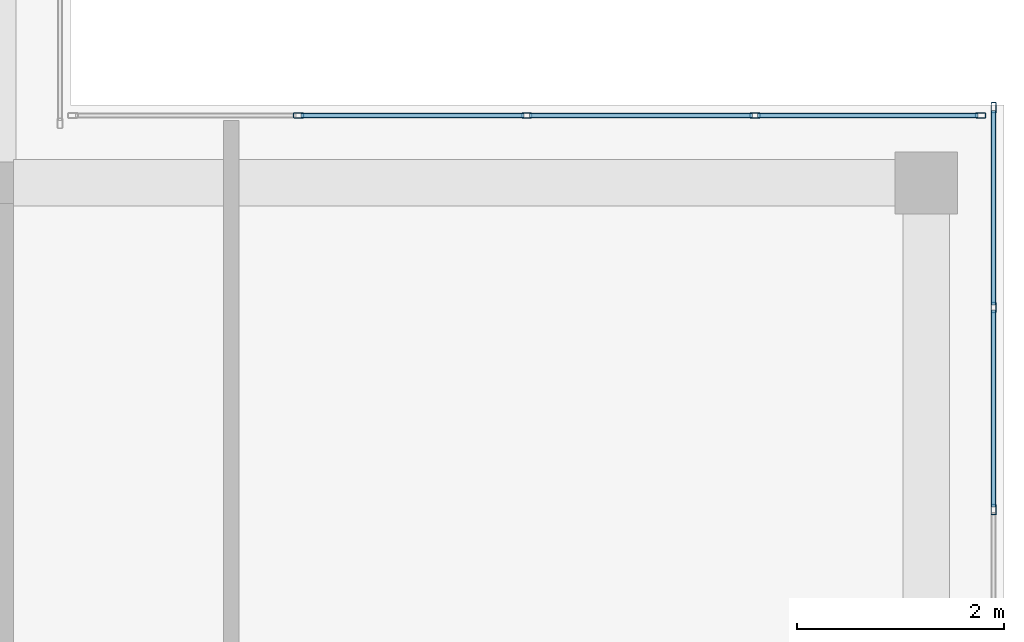
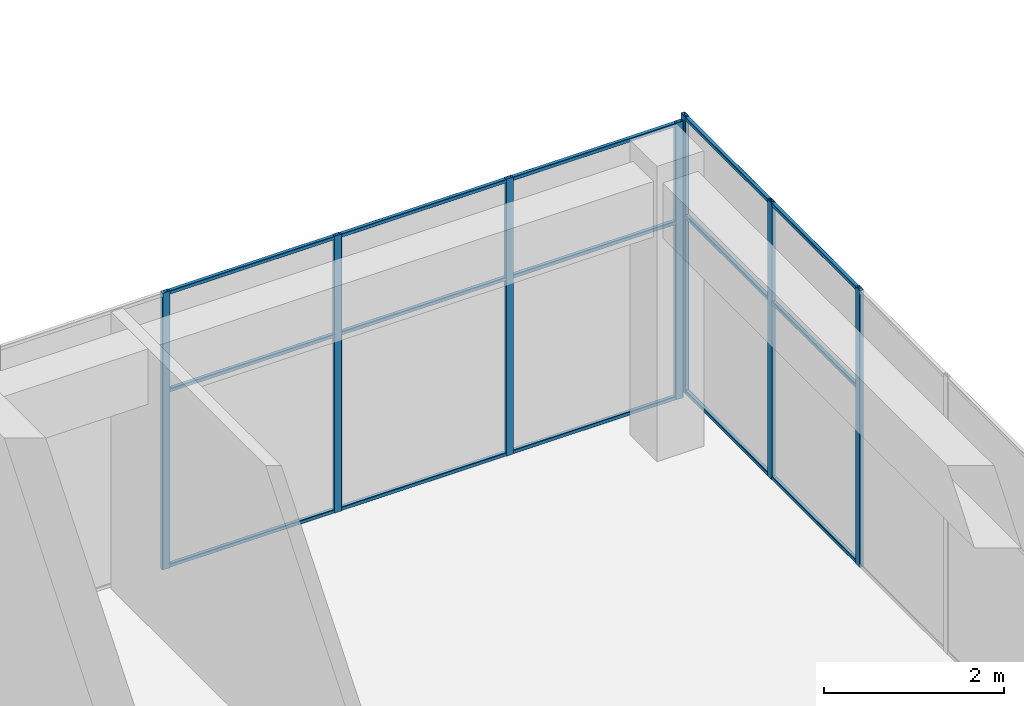
# One storey, part 18 of 32: 22 members, 2 elements without a shape of their own.
"""IFC4 building model written with IfcOpenShell, lengths in metres."""

from ifc_helpers import new_model, si_unit, direction, frame, origin, origin_2d, place, context, subcontext, project, spatial, hollow_rectangle, extrude, material, layer, layer_set, material_profile, profile_set, type_object, element, aggregate, save


model = new_model("IFC4")

# Units and contexts
model_context = context("Model", 3, precision=1e-05, world=origin(), true_north=direction((0.0, 1.0)))
body_context = subcontext(model_context, "Body", "Model", "MODEL_VIEW")
ifc_project = project(units=[si_unit("LENGTHUNIT", "METRE"), si_unit("AREAUNIT", "SQUARE_METRE"), si_unit("VOLUMEUNIT", "CUBIC_METRE"), si_unit("PLANEANGLEUNIT", "RADIAN"), si_unit("MASSUNIT", "GRAM", prefix="KILO")], contexts=[model_context])

# Site, building, storey
site_placement = place(None, origin())
site = spatial("IfcSite", under=ifc_project, at=site_placement, CompositionType="ELEMENT")
building_placement = place(site_placement, origin())
building = spatial("IfcBuilding", under=site, at=building_placement, Name="Tuart Plaza Theatre", CompositionType="ELEMENT")
storey_placement = place(building_placement, frame((0.0, 0.0, 41.5)))
storey = spatial("IfcBuildingStorey", under=building, at=storey_placement, Name="L10", CompositionType="ELEMENT", Elevation=41.5)

# Curtain wall, members
ifc_material_1 = material(Name="Aluminium and glass", Category="aluminium")
ifc_layer = layer(ifc_material_1, 0.10009765625)
ifc_layer_set = layer_set([ifc_layer], Name="CURTAIN WALL 2000 module")
curtain_wall_type = type_object("IfcCurtainWallType", Name="CURTAIN WALL 2000 module", PredefinedType="NOTDEFINED", material=ifc_layer_set)
curtain_wall_1_placement = place(storey_placement, origin())
curtain_wall_1 = element("IfcCurtainWall", 1, at=curtain_wall_1_placement, inside=storey, type_object=curtain_wall_type, Name="CW102", PredefinedType="NOTDEFINED")
ifc_material_2 = material(Name="Aluminium 6063-T5", Category="aluminium")
ifc_material_profile_1 = material_profile(ifc_material_2, hollow_rectangle(XDim=0.050048828125, YDim=0.10009765625, WallThickness=0.00390625, InnerFilletRadius=0.00390625, OuterFilletRadius=0.008056640625, at=origin_2d()), Name="RHS 100x50x4")
ifc_profile_set_1 = profile_set([ifc_material_profile_1], Name="Aluminium 6063-T5")
member_type_1 = type_object("IfcMemberType", Name="MULLION RHS 100x50x4", PredefinedType="MULLION", material=ifc_profile_set_1)
member_1_placement = place(storey_placement, frame((150.64990234375, 79.85009765625, 0.0), z_axis=(0.0, 0.0, 1.0), x_axis=(-1.0, 0.0, 0.0)))
member_1 = element("IfcMember", 2, at=member_1_placement, type_object=member_type_1, Name="CW102 mullion 9", PredefinedType="MULLION", context=body_context, shape_type="SweptSolid", body=[
    extrude(hollow_rectangle(XDim=0.050048828125, YDim=0.10009765625, WallThickness=0.00390625, InnerFilletRadius=0.00390625, OuterFilletRadius=0.008056640625, at=origin_2d()), origin(), (0.0, 0.0, 1.0), 3.75),
])
member_2_placement = place(storey_placement, frame((150.64990234375, 81.800048828125, 0.0), z_axis=(0.0, 0.0, 1.0), x_axis=(-1.0, 0.0, 0.0)))
member_2 = element("IfcMember", 3, at=member_2_placement, type_object=member_type_1, Name="CW102 mullion 10", PredefinedType="MULLION", context=body_context, shape_type="SweptSolid", body=[
    extrude(hollow_rectangle(XDim=0.050048828125, YDim=0.10009765625, WallThickness=0.00390625, InnerFilletRadius=0.00390625, OuterFilletRadius=0.008056640625, at=origin_2d()), origin(), (0.0, 0.0, 1.0), 3.75),
])
member_3_placement = place(storey_placement, frame((150.64990234375, 83.72509765625, 0.0), z_axis=(0.0, 0.0, 1.0), x_axis=(-1.0, 0.0, 0.0)))
member_3 = element("IfcMember", 4, at=member_3_placement, type_object=member_type_1, Name="CW102 mullion 11", PredefinedType="MULLION", context=body_context, shape_type="SweptSolid", body=[
    extrude(hollow_rectangle(XDim=0.050048828125, YDim=0.10009765625, WallThickness=0.00390625, InnerFilletRadius=0.00390625, OuterFilletRadius=0.008056640625, at=origin_2d()), origin(), (0.0, 0.0, 1.0), 3.75),
])

curtain_wall_2_placement = place(storey_placement, origin())
curtain_wall_2 = element("IfcCurtainWall", 5, at=curtain_wall_2_placement, inside=storey, type_object=curtain_wall_type, Name="CW103", PredefinedType="NOTDEFINED")
member_4_placement = place(storey_placement, frame((150.52490234375, 83.64990234375, 0.0), z_axis=(0.0, 0.0, 1.0), x_axis=(0.0, -1.0, 0.0)))
member_4 = element("IfcMember", 6, at=member_4_placement, type_object=member_type_1, Name="CW103 mullion 1", PredefinedType="MULLION", context=body_context, shape_type="SweptSolid", body=[
    extrude(hollow_rectangle(XDim=0.050048828125, YDim=0.10009765625, WallThickness=0.00390625, InnerFilletRadius=0.00390625, OuterFilletRadius=0.008056640625, at=origin_2d()), origin(), (0.0, 0.0, 1.0), 3.75),
])
member_5_placement = place(storey_placement, frame((148.35009765625, 83.64990234375, 0.0), z_axis=(0.0, 0.0, 1.0), x_axis=(0.0, -1.0, 0.0)))
member_5 = element("IfcMember", 7, at=member_5_placement, type_object=member_type_1, Name="CW103 mullion 2", PredefinedType="MULLION", context=body_context, shape_type="SweptSolid", body=[
    extrude(hollow_rectangle(XDim=0.050048828125, YDim=0.10009765625, WallThickness=0.00390625, InnerFilletRadius=0.00390625, OuterFilletRadius=0.008056640625, at=origin_2d()), origin(), (0.0, 0.0, 1.0), 3.75),
])
member_6_placement = place(storey_placement, frame((146.14990234375, 83.64990234375, 0.0), z_axis=(0.0, 0.0, 1.0), x_axis=(0.0, -1.0, 0.0)))
member_6 = element("IfcMember", 8, at=member_6_placement, type_object=member_type_1, Name="CW103 mullion 3", PredefinedType="MULLION", context=body_context, shape_type="SweptSolid", body=[
    extrude(hollow_rectangle(XDim=0.050048828125, YDim=0.10009765625, WallThickness=0.00390625, InnerFilletRadius=0.00390625, OuterFilletRadius=0.008056640625, at=origin_2d()), origin(), (0.0, 0.0, 1.0), 3.75),
])
member_7_placement = place(storey_placement, frame((143.949951171875, 83.64990234375, 0.0), z_axis=(0.0, 0.0, 1.0), x_axis=(0.0, -1.0, 0.0)))
member_7 = element("IfcMember", 9, at=member_7_placement, type_object=member_type_1, Name="CW103 mullion 4", PredefinedType="MULLION", context=body_context, shape_type="SweptSolid", body=[
    extrude(hollow_rectangle(XDim=0.050048828125, YDim=0.10009765625, WallThickness=0.00390625, InnerFilletRadius=0.00390625, OuterFilletRadius=0.008056640625, at=origin_2d()), origin(), (0.0, 0.0, 1.0), 3.75),
])

# Member
ifc_material_3 = material(Name="Aluminium 6063-T5", Category="aluminium")
ifc_material_profile_2 = material_profile(ifc_material_3, hollow_rectangle(XDim=0.050048828125, YDim=0.050048828125, WallThickness=0.00390625, InnerFilletRadius=0.00390625, OuterFilletRadius=0.008056640625, at=origin_2d()), Name="RHS 50x50x4")
ifc_profile_set_2 = profile_set([ifc_material_profile_2], Name="Aluminium 6063-T5")
member_type_2 = type_object("IfcMemberType", Name="TRANSOM RHS 50x50x4", PredefinedType="USERDEFINED", material=ifc_profile_set_2)
member_8_placement = place(storey_placement, frame((150.64990234375, 79.875, 0.02490234375), z_axis=(0.0, 1.0, 0.0), x_axis=(-1.0, 0.0, 0.0)))
member_8 = element("IfcMember", 10, at=member_8_placement, type_object=member_type_2, Name="CW102 transom 9.1", ObjectType="TRANSOM", PredefinedType="USERDEFINED", context=body_context, shape_type="SweptSolid", body=[
    extrude(hollow_rectangle(XDim=0.050048828125, YDim=0.050048828125, WallThickness=0.00390625, InnerFilletRadius=0.00390625, OuterFilletRadius=0.008056640625, at=origin_2d()), origin(), (0.0, 0.0, 1.0), 1.89990234375),
])

member_9_placement = place(storey_placement, frame((150.64990234375, 79.875, 2.39990234375), z_axis=(0.0, 1.0, 0.0), x_axis=(-1.0, 0.0, 0.0)))
member_9 = element("IfcMember", 11, at=member_9_placement, type_object=member_type_2, Name="CW102 transom 9.2", ObjectType="TRANSOM", PredefinedType="USERDEFINED", context=body_context, shape_type="SweptSolid", body=[
    extrude(hollow_rectangle(XDim=0.050048828125, YDim=0.050048828125, WallThickness=0.00390625, InnerFilletRadius=0.00390625, OuterFilletRadius=0.008056640625, at=origin_2d()), origin(), (0.0, 0.0, 1.0), 1.89990234375),
])

member_10_placement = place(storey_placement, frame((150.64990234375, 79.875, 3.72509765625), z_axis=(0.0, 1.0, 0.0), x_axis=(-1.0, 0.0, 0.0)))
member_10 = element("IfcMember", 12, at=member_10_placement, type_object=member_type_2, Name="CW102 transom 9.3", ObjectType="TRANSOM", PredefinedType="USERDEFINED", context=body_context, shape_type="SweptSolid", body=[
    extrude(hollow_rectangle(XDim=0.050048828125, YDim=0.050048828125, WallThickness=0.00390625, InnerFilletRadius=0.00390625, OuterFilletRadius=0.008056640625, at=origin_2d()), origin(), (0.0, 0.0, 1.0), 1.89990234375),
])

member_11_placement = place(storey_placement, frame((150.64990234375, 81.824951171875, 0.02490234375), z_axis=(0.0, 1.0, 0.0), x_axis=(-1.0, 0.0, 0.0)))
member_11 = element("IfcMember", 13, at=member_11_placement, type_object=member_type_2, Name="CW102 transom 10.1", ObjectType="TRANSOM", PredefinedType="USERDEFINED", context=body_context, shape_type="SweptSolid", body=[
    extrude(hollow_rectangle(XDim=0.050048828125, YDim=0.050048828125, WallThickness=0.00390625, InnerFilletRadius=0.00390625, OuterFilletRadius=0.008056640625, at=origin_2d()), origin(), (0.0, 0.0, 1.0), 1.875),
])

member_12_placement = place(storey_placement, frame((150.64990234375, 81.824951171875, 2.39990234375), z_axis=(0.0, 1.0, 0.0), x_axis=(-1.0, 0.0, 0.0)))
member_12 = element("IfcMember", 14, at=member_12_placement, type_object=member_type_2, Name="CW102 transom 10.2", ObjectType="TRANSOM", PredefinedType="USERDEFINED", context=body_context, shape_type="SweptSolid", body=[
    extrude(hollow_rectangle(XDim=0.050048828125, YDim=0.050048828125, WallThickness=0.00390625, InnerFilletRadius=0.00390625, OuterFilletRadius=0.008056640625, at=origin_2d()), origin(), (0.0, 0.0, 1.0), 1.875),
])

member_13_placement = place(storey_placement, frame((150.64990234375, 81.824951171875, 3.72509765625), z_axis=(0.0, 1.0, 0.0), x_axis=(-1.0, 0.0, 0.0)))
member_13 = element("IfcMember", 15, at=member_13_placement, type_object=member_type_2, Name="CW102 transom 10.3", ObjectType="TRANSOM", PredefinedType="USERDEFINED", context=body_context, shape_type="SweptSolid", body=[
    extrude(hollow_rectangle(XDim=0.050048828125, YDim=0.050048828125, WallThickness=0.00390625, InnerFilletRadius=0.00390625, OuterFilletRadius=0.008056640625, at=origin_2d()), origin(), (0.0, 0.0, 1.0), 1.875),
])

aggregate(curtain_wall_1, [member_1, member_2, member_3, member_8, member_9, member_10, member_11, member_12, member_13])

member_14_placement = place(storey_placement, frame((150.5, 83.64990234375, 0.02490234375), z_axis=(-1.0, 0.0, 0.0), x_axis=(0.0, -1.0, 0.0)))
member_14 = element("IfcMember", 16, at=member_14_placement, type_object=member_type_2, Name="CW103 transom 1.1", ObjectType="TRANSOM", PredefinedType="USERDEFINED", context=body_context, shape_type="SweptSolid", body=[
    extrude(hollow_rectangle(XDim=0.050048828125, YDim=0.050048828125, WallThickness=0.00390625, InnerFilletRadius=0.00390625, OuterFilletRadius=0.008056640625, at=origin_2d()), origin(), (0.0, 0.0, 1.0), 2.125),
])

member_15_placement = place(storey_placement, frame((150.5, 83.64990234375, 2.39990234375), z_axis=(-1.0, 0.0, 0.0), x_axis=(0.0, -1.0, 0.0)))
member_15 = element("IfcMember", 17, at=member_15_placement, type_object=member_type_2, Name="CW103 transom 1.2", ObjectType="TRANSOM", PredefinedType="USERDEFINED", context=body_context, shape_type="SweptSolid", body=[
    extrude(hollow_rectangle(XDim=0.050048828125, YDim=0.050048828125, WallThickness=0.00390625, InnerFilletRadius=0.00390625, OuterFilletRadius=0.008056640625, at=origin_2d()), origin(), (0.0, 0.0, 1.0), 2.125),
])

member_16_placement = place(storey_placement, frame((150.5, 83.64990234375, 3.72509765625), z_axis=(-1.0, 0.0, 0.0), x_axis=(0.0, -1.0, 0.0)))
member_16 = element("IfcMember", 18, at=member_16_placement, type_object=member_type_2, Name="CW103 transom 1.3", ObjectType="TRANSOM", PredefinedType="USERDEFINED", context=body_context, shape_type="SweptSolid", body=[
    extrude(hollow_rectangle(XDim=0.050048828125, YDim=0.050048828125, WallThickness=0.00390625, InnerFilletRadius=0.00390625, OuterFilletRadius=0.008056640625, at=origin_2d()), origin(), (0.0, 0.0, 1.0), 2.125),
])

member_17_placement = place(storey_placement, frame((148.324951171875, 83.64990234375, 0.02490234375), z_axis=(-1.0, 0.0, 0.0), x_axis=(0.0, -1.0, 0.0)))
member_17 = element("IfcMember", 19, at=member_17_placement, type_object=member_type_2, Name="CW103 transom 2.1", ObjectType="TRANSOM", PredefinedType="USERDEFINED", context=body_context, shape_type="SweptSolid", body=[
    extrude(hollow_rectangle(XDim=0.050048828125, YDim=0.050048828125, WallThickness=0.00390625, InnerFilletRadius=0.00390625, OuterFilletRadius=0.008056640625, at=origin_2d()), origin(), (0.0, 0.0, 1.0), 2.14990234375),
])

member_18_placement = place(storey_placement, frame((148.324951171875, 83.64990234375, 2.39990234375), z_axis=(-1.0, 0.0, 0.0), x_axis=(0.0, -1.0, 0.0)))
member_18 = element("IfcMember", 20, at=member_18_placement, type_object=member_type_2, Name="CW103 transom 2.2", ObjectType="TRANSOM", PredefinedType="USERDEFINED", context=body_context, shape_type="SweptSolid", body=[
    extrude(hollow_rectangle(XDim=0.050048828125, YDim=0.050048828125, WallThickness=0.00390625, InnerFilletRadius=0.00390625, OuterFilletRadius=0.008056640625, at=origin_2d()), origin(), (0.0, 0.0, 1.0), 2.14990234375),
])

member_19_placement = place(storey_placement, frame((148.324951171875, 83.64990234375, 3.72509765625), z_axis=(-1.0, 0.0, 0.0), x_axis=(0.0, -1.0, 0.0)))
member_19 = element("IfcMember", 21, at=member_19_placement, type_object=member_type_2, Name="CW103 transom 2.3", ObjectType="TRANSOM", PredefinedType="USERDEFINED", context=body_context, shape_type="SweptSolid", body=[
    extrude(hollow_rectangle(XDim=0.050048828125, YDim=0.050048828125, WallThickness=0.00390625, InnerFilletRadius=0.00390625, OuterFilletRadius=0.008056640625, at=origin_2d()), origin(), (0.0, 0.0, 1.0), 2.14990234375),
])

member_20_placement = place(storey_placement, frame((146.125, 83.64990234375, 0.02490234375), z_axis=(-1.0, 0.0, 0.0), x_axis=(0.0, -1.0, 0.0)))
member_20 = element("IfcMember", 22, at=member_20_placement, type_object=member_type_2, Name="CW103 transom 3.1", ObjectType="TRANSOM", PredefinedType="USERDEFINED", context=body_context, shape_type="SweptSolid", body=[
    extrude(hollow_rectangle(XDim=0.050048828125, YDim=0.050048828125, WallThickness=0.00390625, InnerFilletRadius=0.00390625, OuterFilletRadius=0.008056640625, at=origin_2d()), origin(), (0.0, 0.0, 1.0), 2.14990234375),
])

member_21_placement = place(storey_placement, frame((146.125, 83.64990234375, 2.39990234375), z_axis=(-1.0, 0.0, 0.0), x_axis=(0.0, -1.0, 0.0)))
member_21 = element("IfcMember", 23, at=member_21_placement, type_object=member_type_2, Name="CW103 transom 3.2", ObjectType="TRANSOM", PredefinedType="USERDEFINED", context=body_context, shape_type="SweptSolid", body=[
    extrude(hollow_rectangle(XDim=0.050048828125, YDim=0.050048828125, WallThickness=0.00390625, InnerFilletRadius=0.00390625, OuterFilletRadius=0.008056640625, at=origin_2d()), origin(), (0.0, 0.0, 1.0), 2.14990234375),
])

member_22_placement = place(storey_placement, frame((146.125, 83.64990234375, 3.72509765625), z_axis=(-1.0, 0.0, 0.0), x_axis=(0.0, -1.0, 0.0)))
member_22 = element("IfcMember", 24, at=member_22_placement, type_object=member_type_2, Name="CW103 transom 3.3", ObjectType="TRANSOM", PredefinedType="USERDEFINED", context=body_context, shape_type="SweptSolid", body=[
    extrude(hollow_rectangle(XDim=0.050048828125, YDim=0.050048828125, WallThickness=0.00390625, InnerFilletRadius=0.00390625, OuterFilletRadius=0.008056640625, at=origin_2d()), origin(), (0.0, 0.0, 1.0), 2.14990234375),
])

aggregate(curtain_wall_2, [member_4, member_5, member_6, member_7, member_14, member_15, member_16, member_17, member_18, member_19, member_20, member_21, member_22])

save(model, "model.ifc")
